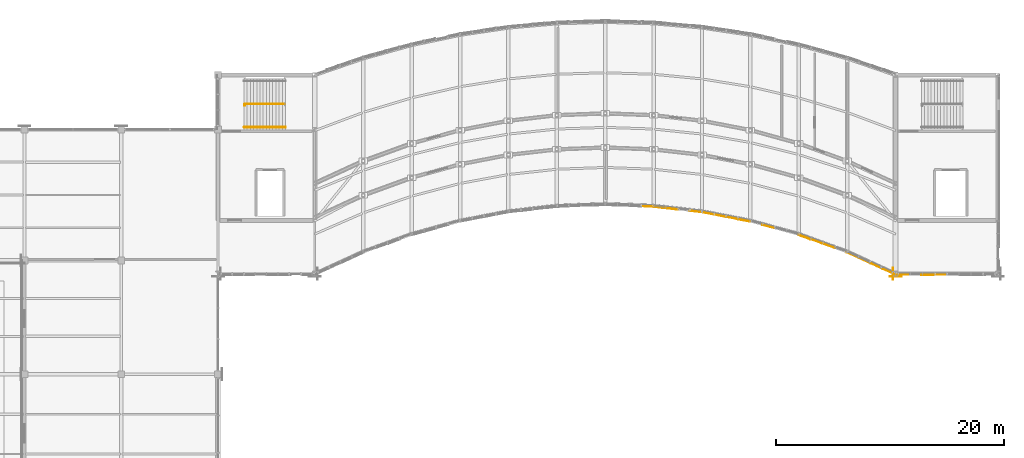
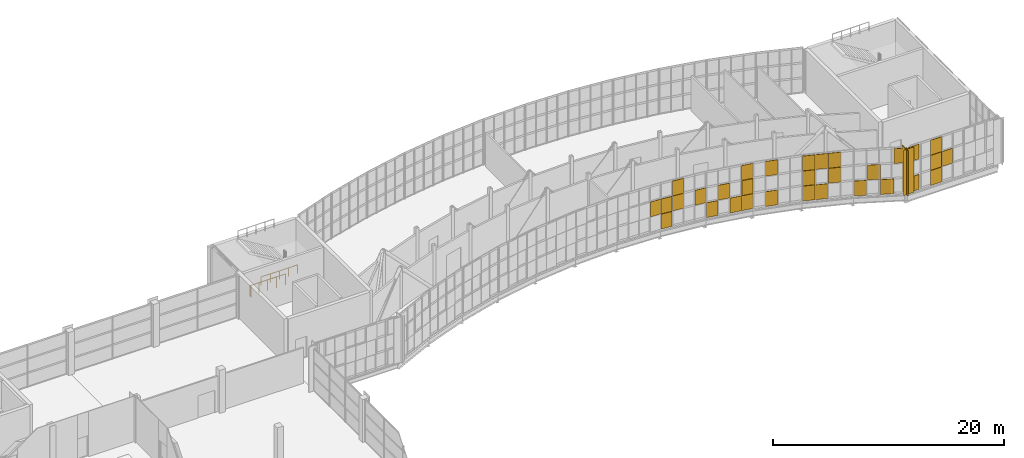
# One storey, part 43 of 46: 33 coverings, 2 railings.
"""IFC4 building model written with IfcOpenShell, lengths in metres."""

from ifc_helpers import new_model, si_unit, direction, frame, origin, origin_2d, place, context, subcontext, project, spatial, rectangle, circle, extrude, material, layer, layer_set, type_object, element, save


model = new_model("IFC4")

# Units and contexts
model_context = context("Model", 3, precision=1e-05, world=origin(), true_north=direction((0.0, 1.0)))
body_context = subcontext(model_context, "Body", "Model", "MODEL_VIEW")
ifc_project = project(units=[si_unit("LENGTHUNIT", "METRE"), si_unit("AREAUNIT", "SQUARE_METRE"), si_unit("VOLUMEUNIT", "CUBIC_METRE"), si_unit("PLANEANGLEUNIT", "RADIAN"), si_unit("MASSUNIT", "GRAM", prefix="KILO")], contexts=[model_context])

# Site, building, storey
site_placement = place(None, origin())
site = spatial("IfcSite", under=ifc_project, at=site_placement, CompositionType="ELEMENT")
building_placement = place(site_placement, origin())
building = spatial("IfcBuilding", under=site, at=building_placement, Name="Solvikara Media Centre", CompositionType="ELEMENT")
storey_placement = place(building_placement, frame((0.0, 0.0, 24.60009765625)))
storey = spatial("IfcBuildingStorey", under=building, at=storey_placement, Name="L05", CompositionType="ELEMENT", Elevation=24.60009765625)

# Coverings
ifc_material_1 = material(Name="GFRC white mineral architectural rainscreen panel")
ifc_layer_1 = layer(ifc_material_1, 0.050048828125)
ifc_layer_set_1 = layer_set([ifc_layer_1], Name="GFRC white mineral architectural rainscreen panel")
covering_type_1 = type_object("IfcCoveringType", Name="CV-04", PredefinedType="CLADDING", material=ifc_layer_set_1)
for number, where, z_axis, x_axis, name in (
    (1, (127.5, 19.0849609375, 0.0), (0.0, 0.0, 1.0), (1.0, 0.0, 0.0), "PIL-L05-263"),
    (2, (127.27197265625, 19.323974609375, 0.0), (0.0, 0.0, 1.0), (0.0, -1.0, 0.0), "PIL-L05-264"),
):
    element("IfcCovering", number, at=place(storey_placement, frame(where, z_axis=z_axis, x_axis=x_axis)), inside=storey, type_object=covering_type_1, Name=name, PredefinedType="CLADDING", context=body_context, shape_type="SweptSolid", body=[
        extrude(rectangle(XDim=1.0400390625, YDim=0.050048828125, at=origin_2d()), origin(), (0.0, 0.0, 1.0), 4.800048828125),
    ])
for number, where, z_axis, x_axis, name in (
    (3, (106.77001953125, 25.15087890625, 0.0146484375), (0.0, 0.0, 1.0), (0.993538223873, -0.113498007485, 0.0), "CW-L05-SARC-07-SF-00"),
    (4, (106.77001953125, 25.15087890625, 1.61474609375), (0.0, 0.0, 1.0), (0.993538223873, -0.113498007485, 0.0), "CW-L05-SARC-07-SF-01"),
):
    element("IfcCovering", number, at=place(storey_placement, frame(where, z_axis=z_axis, x_axis=x_axis)), inside=storey, type_object=covering_type_1, Name=name, PredefinedType="CLADDING", context=body_context, shape_type="SweptSolid", body=[
        extrude(rectangle(XDim=1.0400390625, YDim=0.050048828125, at=origin_2d()), origin(), (0.0, 0.0, 1.0), 1.570068359375),
    ])
covering_1_placement = place(storey_placement, frame((107.8330078125, 25.029052734375, 3.21484375), z_axis=(0.0, 0.0, 1.0), x_axis=(0.993526332942, -0.113602049942, 0.0)))
element("IfcCovering", 5, at=covering_1_placement, inside=storey, type_object=covering_type_1, Name="CW-L05-SARC-07-SF-12", PredefinedType="CLADDING", context=body_context, shape_type="SweptSolid", body=[
    extrude(rectangle(XDim=1.0390625, YDim=0.050048828125, at=origin_2d()), origin(), (0.0, 0.0, 1.0), 1.570068359375),
])
covering_2_placement = place(storey_placement, frame((114.200927734375, 24.007080078125, 1.61474609375), z_axis=(0.0, 0.0, 1.0), x_axis=(0.981945508951, -0.18916399618, 0.0)))
element("IfcCovering", 6, at=covering_2_placement, inside=storey, type_object=covering_type_1, Name="CW-L05-SARC-08-SF-31", PredefinedType="CLADDING", context=body_context, shape_type="SweptSolid", body=[
    extrude(rectangle(XDim=1.052001953125, YDim=0.050048828125, at=origin_2d()), origin(), (0.0, 0.0, 1.0), 1.570068359375),
])
covering_3_placement = place(storey_placement, frame((119.4990234375, 22.54296875, 3.21484375), z_axis=(0.0, 0.0, 1.0), x_axis=(0.939794058841, -0.341741315862, 0.0)))
element("IfcCovering", 7, at=covering_3_placement, inside=storey, type_object=covering_type_1, Name="CW-L05-SARC-10-SF-02", PredefinedType="CLADDING", context=body_context, shape_type="SweptSolid", body=[
    extrude(rectangle(XDim=1.10009765625, YDim=0.050048828125, at=origin_2d()), origin(), (0.0, 0.0, 1.0), 1.570068359375),
])
for number, where, z_axis, x_axis, name in (
    (8, (130.31201171875, 19.22998046875, 0.0146484375), (0.0, 0.0, 1.0), (1.0, 0.0, 0.0), "CW-L05-BHES-SF-20"),
    (9, (130.31201171875, 19.22998046875, 1.61474609375), (0.0, 0.0, 1.0), (1.0, 0.0, 0.0), "CW-L05-BHES-SF-21"),
):
    element("IfcCovering", number, at=place(storey_placement, frame(where, z_axis=z_axis, x_axis=x_axis)), inside=storey, type_object=covering_type_1, Name=name, PredefinedType="CLADDING", context=body_context, shape_type="SweptSolid", body=[
        extrude(rectangle(XDim=1.094970703125, YDim=0.050048828125, at=origin_2d()), origin(), (0.0, 0.0, 1.0), 1.570068359375),
    ])
ifc_material_2 = material(Name="Insulated silver-pearl glass spandrel panel", Category="glass")
ifc_layer_2 = layer(ifc_material_2, 0.034912109375)
ifc_layer_set_2 = layer_set([ifc_layer_2], Name="Insulated silver-pearl glass spandrel panel")
covering_type_2 = type_object("IfcCoveringType", Name="CV-06", PredefinedType="CLADDING", material=ifc_layer_set_2)
covering_4_placement = place(storey_placement, frame((105.715087890625, 25.241943359375, 1.61474609375), z_axis=(0.0, 0.0, 1.0), x_axis=(0.999288156396, -0.03772506443, 0.0)))
element("IfcCovering", 10, at=covering_4_placement, inside=storey, type_object=covering_type_2, Name="CW-L05-SARC-06-PX-31", PredefinedType="CLADDING", context=body_context, shape_type="SweptSolid", body=[
    extrude(rectangle(XDim=1.033935546875, YDim=0.034912109375, at=origin_2d()), origin(), (0.0, 0.0, 1.0), 1.570068359375),
])
for number, where, z_axis, x_axis, name in (
    (11, (107.833984375, 25.0390625, 1.61474609375), (0.0, 0.0, 1.0), (0.993538223873, -0.113498007485, 0.0), "CW-L05-SARC-07-PX-11"),
    (12, (109.958984375, 24.7958984375, 1.61474609375), (0.0, 0.0, 1.0), (0.993430813275, -0.114434344654, 0.0), "CW-L05-SARC-07-PX-31"),
):
    element("IfcCovering", number, at=place(storey_placement, frame(where, z_axis=z_axis, x_axis=x_axis)), inside=storey, type_object=covering_type_2, Name=name, PredefinedType="CLADDING", context=body_context, shape_type="SweptSolid", body=[
        extrude(rectangle(XDim=1.0400390625, YDim=0.034912109375, at=origin_2d()), origin(), (0.0, 0.0, 1.0), 1.570068359375),
    ])
for number, where, z_axis, x_axis, name in (
    (13, (111.01611328125, 24.633056640625, 0.0146484375), (0.0, 0.0, 1.0), (0.981766789998, -0.190089373868, 0.0), "CW-L05-SARC-08-PX-00"),
    (14, (112.077880859375, 24.427001953125, 1.61474609375), (0.0, 0.0, 1.0), (0.981766789998, -0.190089373868, 0.0), "CW-L05-SARC-08-PX-11"),
    (15, (113.14111328125, 24.221923828125, 0.0146484375), (0.0, 0.0, 1.0), (0.981766789998, -0.190089373868, 0.0), "CW-L05-SARC-08-PX-20"),
    (16, (114.202880859375, 24.01611328125, 0.0146484375), (0.0, 0.0, 1.0), (0.981766789998, -0.190089373868, 0.0), "CW-L05-SARC-08-PX-30"),
    (17, (114.202880859375, 24.01611328125, 3.21484375), (0.0, 0.0, 1.0), (0.981766789998, -0.190089373868, 0.0), "CW-L05-SARC-08-PX-32"),
):
    element("IfcCovering", number, at=place(storey_placement, frame(where, z_axis=z_axis, x_axis=x_axis)), inside=storey, type_object=covering_type_2, Name=name, PredefinedType="CLADDING", context=body_context, shape_type="SweptSolid", body=[
        extrude(rectangle(XDim=1.052001953125, YDim=0.034912109375, at=origin_2d()), origin(), (0.0, 0.0, 1.0), 1.570068359375),
    ])
for number, where, z_axis, x_axis, name in (
    (18, (116.322021484375, 23.47509765625, 0.0146484375), (0.0, 0.0, 1.0), (0.963984083771, -0.265959933516, 0.0), "CW-L05-SARC-09-PX-10"),
    (19, (116.322021484375, 23.47509765625, 3.21484375), (0.0, 0.0, 1.0), (0.963984083771, -0.265959933516, 0.0), "CW-L05-SARC-09-PX-12"),
):
    element("IfcCovering", number, at=place(storey_placement, frame(where, z_axis=z_axis, x_axis=x_axis)), inside=storey, type_object=covering_type_2, Name=name, PredefinedType="CLADDING", context=body_context, shape_type="SweptSolid", body=[
        extrude(rectangle(XDim=1.072021484375, YDim=0.034912109375, at=origin_2d()), origin(), (0.0, 0.0, 1.0), 1.570068359375),
    ])
for number, where, z_axis, x_axis, name in (
    (20, (119.501953125, 22.552001953125, 0.0146484375), (0.0, 0.0, 1.0), (0.939901373663, -0.341446053991, 0.0), "CW-L05-SARC-10-PX-00"),
    (21, (119.501953125, 22.552001953125, 1.61474609375), (0.0, 0.0, 1.0), (0.939901373663, -0.341446053991, 0.0), "CW-L05-SARC-10-PX-01"),
):
    element("IfcCovering", number, at=place(storey_placement, frame(where, z_axis=z_axis, x_axis=x_axis)), inside=storey, type_object=covering_type_2, Name=name, PredefinedType="CLADDING", context=body_context, shape_type="SweptSolid", body=[
        extrude(rectangle(XDim=1.10107421875, YDim=0.034912109375, at=origin_2d()), origin(), (0.0, 0.0, 1.0), 1.570068359375),
    ])
for number, where, z_axis, x_axis, name in (
    (22, (120.56494140625, 22.166015625, 0.0146484375), (0.0, 0.0, 1.0), (0.939794058841, -0.341741315862, 0.0), "CW-L05-SARC-10-PX-10"),
    (23, (120.56494140625, 22.166015625, 3.21484375), (0.0, 0.0, 1.0), (0.939794058841, -0.341741315862, 0.0), "CW-L05-SARC-10-PX-12"),
):
    element("IfcCovering", number, at=place(storey_placement, frame(where, z_axis=z_axis, x_axis=x_axis)), inside=storey, type_object=covering_type_2, Name=name, PredefinedType="CLADDING", context=body_context, shape_type="SweptSolid", body=[
        extrude(rectangle(XDim=1.10009765625, YDim=0.034912109375, at=origin_2d()), origin(), (0.0, 0.0, 1.0), 1.570068359375),
    ])
for number, where, z_axis, x_axis, name in (
    (24, (121.626953125, 21.779052734375, 1.61474609375), (0.0, 0.0, 1.0), (0.939901373663, -0.341446053991, 0.0), "CW-L05-SARC-10-PX-21"),
    (25, (121.626953125, 21.779052734375, 3.21484375), (0.0, 0.0, 1.0), (0.939901373663, -0.341446053991, 0.0), "CW-L05-SARC-10-PX-22"),
):
    element("IfcCovering", number, at=place(storey_placement, frame(where, z_axis=z_axis, x_axis=x_axis)), inside=storey, type_object=covering_type_2, Name=name, PredefinedType="CLADDING", context=body_context, shape_type="SweptSolid", body=[
        extrude(rectangle(XDim=1.10107421875, YDim=0.034912109375, at=origin_2d()), origin(), (0.0, 0.0, 1.0), 1.570068359375),
    ])
covering_5_placement = place(storey_placement, frame((123.74609375, 20.9580078125, 0.0146484375), z_axis=(0.0, 0.0, 1.0), x_axis=(0.908522763286, -0.417835360629, 0.0)))
element("IfcCovering", 26, at=covering_5_placement, inside=storey, type_object=covering_type_2, Name="CW-L05-SARC-11-PX-00", PredefinedType="CLADDING", context=body_context, shape_type="SweptSolid", body=[
    extrude(rectangle(XDim=1.138916015625, YDim=0.034912109375, at=origin_2d()), origin(), (0.0, 0.0, 1.0), 1.570068359375),
])
covering_6_placement = place(storey_placement, frame((124.80810546875, 20.469970703125, 1.61474609375), z_axis=(0.0, 0.0, 1.0), x_axis=(0.908187010791, -0.418564634711, 0.0)))
element("IfcCovering", 27, at=covering_6_placement, inside=storey, type_object=covering_type_2, Name="CW-L05-SARC-11-PX-11", PredefinedType="CLADDING", context=body_context, shape_type="SweptSolid", body=[
    extrude(rectangle(XDim=1.139892578125, YDim=0.034912109375, at=origin_2d()), origin(), (0.0, 0.0, 1.0), 1.570068359375),
])
for number, where, z_axis, x_axis, name in (
    (28, (125.87109375, 19.98095703125, 0.0146484375), (0.0, 0.0, 1.0), (0.908522763286, -0.417835360629, 0.0), "CW-L05-SARC-11-PX-20"),
    (29, (126.93310546875, 19.491943359375, 3.21484375), (0.0, 0.0, 1.0), (0.908522763286, -0.417835360629, 0.0), "CW-L05-SARC-11-PX-32"),
):
    element("IfcCovering", number, at=place(storey_placement, frame(where, z_axis=z_axis, x_axis=x_axis)), inside=storey, type_object=covering_type_2, Name=name, PredefinedType="CLADDING", context=body_context, shape_type="SweptSolid", body=[
        extrude(rectangle(XDim=1.138916015625, YDim=0.034912109375, at=origin_2d()), origin(), (0.0, 0.0, 1.0), 1.570068359375),
    ])
for number, where, z_axis, x_axis, name in (
    (30, (128.06201171875, 19.239990234375, 0.0146484375), (0.0, 0.0, 1.0), (1.0, 0.0, 0.0), "CW-L05-BHES-PX-00"),
    (31, (128.06201171875, 19.239990234375, 3.21484375), (0.0, 0.0, 1.0), (1.0, 0.0, 0.0), "CW-L05-BHES-PX-02"),
    (32, (130.31201171875, 19.239990234375, 3.21484375), (0.0, 0.0, 1.0), (1.0, 0.0, 0.0), "CW-L05-BHES-PX-22"),
    (33, (131.43798828125, 19.239990234375, 1.61474609375), (0.0, 0.0, 1.0), (1.0, 0.0, 0.0), "CW-L05-BHES-PX-31"),
):
    element("IfcCovering", number, at=place(storey_placement, frame(where, z_axis=z_axis, x_axis=x_axis)), inside=storey, type_object=covering_type_2, Name=name, PredefinedType="CLADDING", context=body_context, shape_type="SweptSolid", body=[
        extrude(rectangle(XDim=1.094970703125, YDim=0.034912109375, at=origin_2d()), origin(), (0.0, 0.0, 1.0), 1.570068359375),
    ])

# Railings
ifc_material_3 = material(Name="Steel S355JR", Category="steel")
railing_type_1 = type_object("IfcRailingType", Name="GR-01", PredefinedType="GUARDRAIL", material=ifc_material_3)
railing_1_placement = place(storey_placement, frame((70.340087890625, 34.10009765625, 0.0)))
element("IfcRailing", 34, at=railing_1_placement, inside=storey, type_object=railing_type_1, Name="GR-C3-L04-W", PredefinedType="GUARDRAIL", context=body_context, shape_type="SweptSolid", body=[
    extrude(circle(Radius=0.02392578125, at=origin_2d()), frame((0.0, 0.0, 1.1259765625), z_axis=(0.0, 1.0, 0.0), x_axis=(-1.0, 0.0, 0.0)), (0.0, 0.0, 1.0), 0.119873046875),
    extrude(circle(Radius=0.02392578125, at=origin_2d()), frame((0.0, 0.119873046875, 1.1259765625), z_axis=(1.0, 0.0, 0.0), x_axis=(0.0, 1.0, 0.0)), (0.0, 0.0, 1.0), 3.52001953125),
    extrude(circle(Radius=0.02099609375, at=origin_2d()), origin(), (0.0, 0.0, 1.0), 1.101806640625),
    extrude(circle(Radius=0.02099609375, at=origin_2d()), frame((0.0, 0.119873046875, 0.0)), (0.0, 0.0, 1.0), 1.101806640625),
    extrude(circle(Radius=0.02099609375, at=origin_2d()), frame((0.8798828125, 0.119873046875, 0.0)), (0.0, 0.0, 1.0), 1.101806640625),
    extrude(circle(Radius=0.02099609375, at=origin_2d()), frame((1.760009765625, 0.119873046875, 0.0)), (0.0, 0.0, 1.0), 1.101806640625),
    extrude(circle(Radius=0.02099609375, at=origin_2d()), frame((2.64013671875, 0.119873046875, 0.0)), (0.0, 0.0, 1.0), 1.101806640625),
    extrude(circle(Radius=0.02099609375, at=origin_2d()), frame((3.52001953125, 0.119873046875, 0.0)), (0.0, 0.0, 1.0), 1.101806640625),
])
railing_type_2 = type_object("IfcRailingType", Name="HR-01", PredefinedType="HANDRAIL", material=ifc_material_3)
railing_2_placement = place(storey_placement, frame((70.280029296875, 32.199951171875, 2.39990234375)))
element("IfcRailing", 35, at=railing_2_placement, inside=storey, type_object=railing_type_2, Name="HR-C3-L05-1", PredefinedType="HANDRAIL", context=body_context, shape_type="SweptSolid", body=[
    extrude(circle(Radius=0.02392578125, at=origin_2d()), frame((0.0, 0.0, 0.89599609375), z_axis=(1.0, 0.0, 0.0), x_axis=(0.0, 1.0, 0.0)), (0.0, 0.0, 1.0), 3.639892578125),
    extrude(circle(Radius=0.02099609375, at=origin_2d()), origin(), (0.0, 0.0, 1.0), 0.871826171875),
    extrude(circle(Radius=0.02099609375, at=origin_2d()), frame((0.909912109375, 0.0, 0.0)), (0.0, 0.0, 1.0), 0.871826171875),
    extrude(circle(Radius=0.02099609375, at=origin_2d()), frame((1.81982421875, 0.0, 0.0)), (0.0, 0.0, 1.0), 0.871826171875),
    extrude(circle(Radius=0.02099609375, at=origin_2d()), frame((2.72998046875, 0.0, 0.0)), (0.0, 0.0, 1.0), 0.871826171875),
    extrude(circle(Radius=0.02099609375, at=origin_2d()), frame((3.639892578125, 0.0, 0.0)), (0.0, 0.0, 1.0), 0.871826171875),
])

save(model, "model.ifc")
